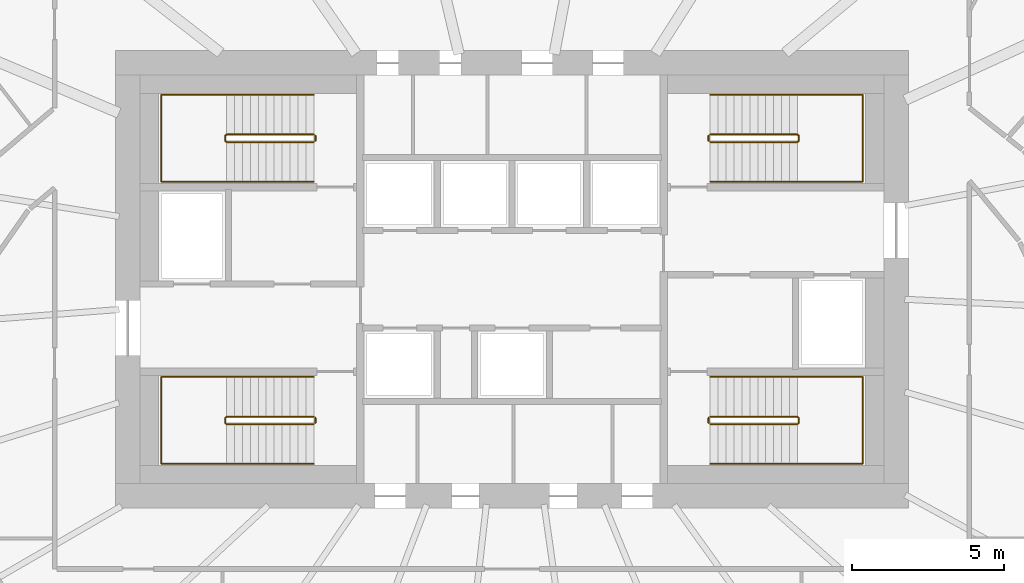
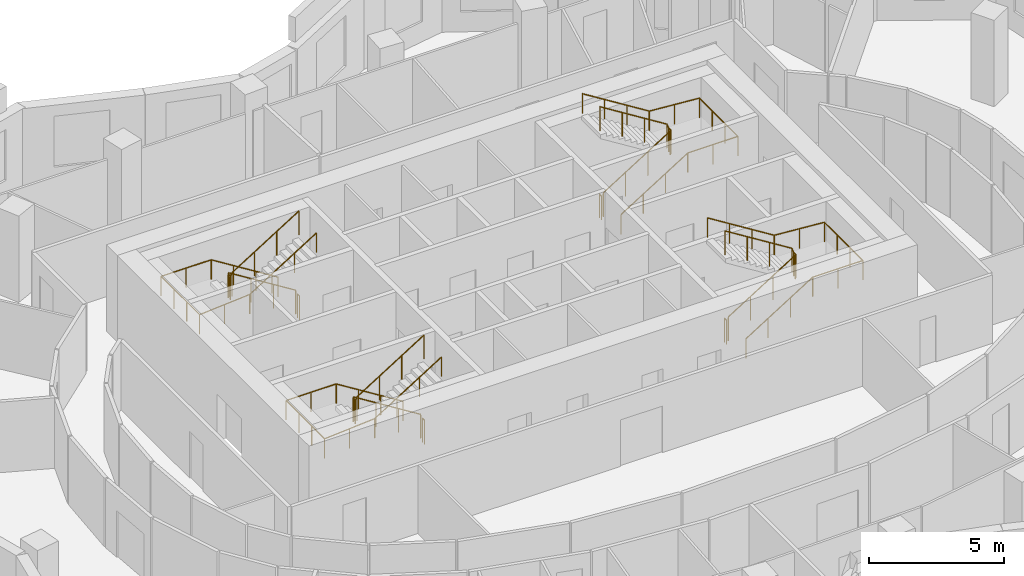
# One storey, part 11 of 11: 12 railings.
"""IFC4 building model written with IfcOpenShell, lengths in metres."""

from ifc_helpers import new_model, si_unit, direction, frame, origin, origin_2d, place, context, subcontext, project, spatial, circle, extrude, material, type_object, element, save


model = new_model("IFC4")

# Units and contexts
model_context = context("Model", 3, precision=1e-05, world=origin(), true_north=direction((0.0, 1.0)))
body_context = subcontext(model_context, "Body", "Model", "MODEL_VIEW")
ifc_project = project(units=[si_unit("LENGTHUNIT", "METRE"), si_unit("AREAUNIT", "SQUARE_METRE"), si_unit("VOLUMEUNIT", "CUBIC_METRE"), si_unit("PLANEANGLEUNIT", "RADIAN"), si_unit("MASSUNIT", "GRAM", prefix="KILO")], contexts=[model_context])

# Site, building, storey
site_placement = place(None, origin())
site = spatial("IfcSite", under=ifc_project, at=site_placement, CompositionType="ELEMENT")
building_placement = place(site_placement, origin())
building = spatial("IfcBuilding", under=site, at=building_placement, Name="Rubra Terraces Tower", CompositionType="ELEMENT")
storey_placement = place(building_placement, frame((0.0, 0.0, 237.0)))
storey = spatial("IfcBuildingStorey", under=building, at=storey_placement, Name="L58", CompositionType="ELEMENT", Elevation=237.0)

# Railings
ifc_material = material(Name="Stainless steel", Category="steel")
railing_type_1 = type_object("IfcRailingType", Name="Core stair guard 1100", PredefinedType="GUARDRAIL", material=ifc_material)
railing_1_placement = place(storey_placement, frame((-6.5, 0.0, 0.16259765625)))
element("IfcRailing", 1, at=railing_1_placement, inside=storey, type_object=railing_type_1, Name="L58 stair S1 guard 1", PredefinedType="GUARDRAIL", context=body_context, shape_type="SweptSolid", body=[
    extrude(circle(Radius=0.02392578125, at=origin_2d()), frame((0.0, 0.0, 1.076171875), z_axis=(-0.848026770018, 0.0, 0.529953391661), x_axis=(0.0, -1.0, 0.0)), (0.0, 0.0, 1.0), 3.37255859375),
    extrude(circle(Radius=0.02392578125, at=origin_2d()), frame((-2.860107421875, 0.0, 2.86328125), z_axis=(-0.705375805398, -0.708833529934, 0.0), x_axis=(0.708833529934, -0.705375805398, 0.0)), (0.0, 0.0, 1.0), 0.070556640625),
    extrude(circle(Radius=0.02392578125, at=origin_2d()), frame((-2.909912109375, -0.050048828125, 2.86328125), z_axis=(0.0, -1.0, 0.0), x_axis=(1.0, 0.0, 0.0)), (0.0, 0.0, 1.0), 0.14990234375),
    extrude(circle(Radius=0.02392578125, at=origin_2d()), frame((-2.909912109375, -0.199951171875, 2.86328125), z_axis=(0.280959487676, -0.282336740067, 0.917250092119), x_axis=(0.708833529934, 0.705375805398, 0.0)), (0.0, 0.0, 1.0), 0.17724609375),
    extrude(circle(Radius=0.02392578125, at=origin_2d()), frame((-2.860107421875, -0.25, 3.02587890625), z_axis=(0.848026770018, 0.0, 0.529953391661), x_axis=(0.0, 1.0, 0.0)), (0.0, 0.0, 1.0), 3.37255859375),
    extrude(circle(Radius=0.02099609375, at=origin_2d()), origin(), (0.0, 0.0, 1.0), 1.052001953125),
    extrude(circle(Radius=0.02099609375, at=origin_2d()), frame((-0.953369140625, 0.0, 0.595703125)), (0.0, 0.0, 1.0), 1.052001953125),
    extrude(circle(Radius=0.02099609375, at=origin_2d()), frame((-1.90673828125, 0.0, 1.191650390625)), (0.0, 0.0, 1.0), 1.052001953125),
    extrude(circle(Radius=0.02099609375, at=origin_2d()), frame((-2.860107421875, 0.0, 1.787353515625)), (0.0, 0.0, 1.0), 1.052001953125),
    extrude(circle(Radius=0.02099609375, at=origin_2d()), frame((-2.909912109375, -0.050048828125, 1.787353515625)), (0.0, 0.0, 1.0), 1.052001953125),
    extrude(circle(Radius=0.02099609375, at=origin_2d()), frame((-2.909912109375, -0.199951171875, 1.787353515625)), (0.0, 0.0, 1.0), 1.052001953125),
    extrude(circle(Radius=0.02099609375, at=origin_2d()), frame((-2.860107421875, -0.25, 1.949951171875)), (0.0, 0.0, 1.0), 1.052001953125),
    extrude(circle(Radius=0.02099609375, at=origin_2d()), frame((-1.90673828125, -0.25, 2.545654296875)), (0.0, 0.0, 1.0), 1.052001953125),
    extrude(circle(Radius=0.02099609375, at=origin_2d()), frame((-0.953369140625, -0.25, 3.1416015625)), (0.0, 0.0, 1.0), 1.052001953125),
    extrude(circle(Radius=0.02099609375, at=origin_2d()), frame((0.0, -0.25, 3.7373046875)), (0.0, 0.0, 1.0), 1.052001953125),
])
railing_2_placement = place(storey_placement, frame((-6.449951171875, -0.050048828125, 0.0)))
element("IfcRailing", 2, at=railing_2_placement, inside=storey, type_object=railing_type_1, Name="L58 stair S1 guard 2", PredefinedType="GUARDRAIL", context=body_context, shape_type="SweptSolid", body=[
    extrude(circle(Radius=0.02392578125, at=origin_2d()), frame((0.0, 0.0, 1.076171875), z_axis=(0.0, -1.0, 0.0), x_axis=(1.0, 0.0, 0.0)), (0.0, 0.0, 1.0), 0.14990234375),
    extrude(circle(Radius=0.02099609375, at=origin_2d()), origin(), (0.0, 0.0, 1.0), 1.052001953125),
    extrude(circle(Radius=0.02099609375, at=origin_2d()), frame((0.0, -0.14990234375, 0.0)), (0.0, 0.0, 1.0), 1.052001953125),
])
railing_3_placement = place(storey_placement, frame((-6.5, 9.25, 0.16259765625)))
element("IfcRailing", 3, at=railing_3_placement, inside=storey, type_object=railing_type_1, Name="L58 stair S2 guard 1", PredefinedType="GUARDRAIL", context=body_context, shape_type="SweptSolid", body=[
    extrude(circle(Radius=0.02392578125, at=origin_2d()), frame((0.0, 0.0, 1.076171875), z_axis=(-0.848026770018, 0.0, 0.529953391661), x_axis=(0.0, -1.0, 0.0)), (0.0, 0.0, 1.0), 3.37255859375),
    extrude(circle(Radius=0.02392578125, at=origin_2d()), frame((-2.860107421875, 0.0, 2.86328125), z_axis=(-0.705375805398, -0.708833529934, 0.0), x_axis=(0.708833529934, -0.705375805398, 0.0)), (0.0, 0.0, 1.0), 0.070556640625),
    extrude(circle(Radius=0.02392578125, at=origin_2d()), frame((-2.909912109375, -0.050048828125, 2.86328125), z_axis=(0.0, -1.0, 0.0), x_axis=(1.0, 0.0, 0.0)), (0.0, 0.0, 1.0), 0.14990234375),
    extrude(circle(Radius=0.02392578125, at=origin_2d()), frame((-2.909912109375, -0.199951171875, 2.86328125), z_axis=(0.280959487676, -0.282336740067, 0.917250092119), x_axis=(0.708833529934, 0.705375805398, 0.0)), (0.0, 0.0, 1.0), 0.17724609375),
    extrude(circle(Radius=0.02392578125, at=origin_2d()), frame((-2.860107421875, -0.25, 3.02587890625), z_axis=(0.848026770018, 0.0, 0.529953391661), x_axis=(0.0, 1.0, 0.0)), (0.0, 0.0, 1.0), 3.37255859375),
    extrude(circle(Radius=0.02099609375, at=origin_2d()), origin(), (0.0, 0.0, 1.0), 1.052001953125),
    extrude(circle(Radius=0.02099609375, at=origin_2d()), frame((-0.953369140625, 0.0, 0.595703125)), (0.0, 0.0, 1.0), 1.052001953125),
    extrude(circle(Radius=0.02099609375, at=origin_2d()), frame((-1.90673828125, 0.0, 1.191650390625)), (0.0, 0.0, 1.0), 1.052001953125),
    extrude(circle(Radius=0.02099609375, at=origin_2d()), frame((-2.860107421875, 0.0, 1.787353515625)), (0.0, 0.0, 1.0), 1.052001953125),
    extrude(circle(Radius=0.02099609375, at=origin_2d()), frame((-2.909912109375, -0.050048828125, 1.787353515625)), (0.0, 0.0, 1.0), 1.052001953125),
    extrude(circle(Radius=0.02099609375, at=origin_2d()), frame((-2.909912109375, -0.199951171875, 1.787353515625)), (0.0, 0.0, 1.0), 1.052001953125),
    extrude(circle(Radius=0.02099609375, at=origin_2d()), frame((-2.860107421875, -0.25, 1.949951171875)), (0.0, 0.0, 1.0), 1.052001953125),
    extrude(circle(Radius=0.02099609375, at=origin_2d()), frame((-1.90673828125, -0.25, 2.545654296875)), (0.0, 0.0, 1.0), 1.052001953125),
    extrude(circle(Radius=0.02099609375, at=origin_2d()), frame((-0.953369140625, -0.25, 3.1416015625)), (0.0, 0.0, 1.0), 1.052001953125),
    extrude(circle(Radius=0.02099609375, at=origin_2d()), frame((0.0, -0.25, 3.7373046875)), (0.0, 0.0, 1.0), 1.052001953125),
])
railing_4_placement = place(storey_placement, frame((-6.449951171875, 9.199951171875, 0.0)))
element("IfcRailing", 4, at=railing_4_placement, inside=storey, type_object=railing_type_1, Name="L58 stair S2 guard 2", PredefinedType="GUARDRAIL", context=body_context, shape_type="SweptSolid", body=[
    extrude(circle(Radius=0.02392578125, at=origin_2d()), frame((0.0, 0.0, 1.076171875), z_axis=(0.0, -1.0, 0.0), x_axis=(1.0, 0.0, 0.0)), (0.0, 0.0, 1.0), 0.14990234375),
    extrude(circle(Radius=0.02099609375, at=origin_2d()), origin(), (0.0, 0.0, 1.0), 1.052001953125),
    extrude(circle(Radius=0.02099609375, at=origin_2d()), frame((0.0, -0.14990234375, 0.0)), (0.0, 0.0, 1.0), 1.052001953125),
])
railing_5_placement = place(storey_placement, frame((6.5, 9.0, 0.16259765625)))
element("IfcRailing", 5, at=railing_5_placement, inside=storey, type_object=railing_type_1, Name="L58 stair S3 guard 1", PredefinedType="GUARDRAIL", context=body_context, shape_type="SweptSolid", body=[
    extrude(circle(Radius=0.02392578125, at=origin_2d()), frame((0.0, 0.0, 1.076171875), z_axis=(0.848026770018, 0.0, 0.529953391661), x_axis=(0.0, 1.0, 0.0)), (0.0, 0.0, 1.0), 3.37255859375),
    extrude(circle(Radius=0.02392578125, at=origin_2d()), frame((2.860107421875, 0.0, 2.86328125), z_axis=(0.705375805398, 0.708833529934, 0.0), x_axis=(-0.708833529934, 0.705375805398, 0.0)), (0.0, 0.0, 1.0), 0.070556640625),
    extrude(circle(Radius=0.02392578125, at=origin_2d()), frame((2.909912109375, 0.050048828125, 2.86328125), z_axis=(0.0, 1.0, 0.0), x_axis=(-1.0, 0.0, 0.0)), (0.0, 0.0, 1.0), 0.14990234375),
    extrude(circle(Radius=0.02392578125, at=origin_2d()), frame((2.909912109375, 0.199951171875, 2.86328125), z_axis=(-0.280959487676, 0.282336740067, 0.917250092119), x_axis=(-0.708833529934, -0.705375805398, 0.0)), (0.0, 0.0, 1.0), 0.17724609375),
    extrude(circle(Radius=0.02392578125, at=origin_2d()), frame((2.860107421875, 0.25, 3.02587890625), z_axis=(-0.848026770018, 0.0, 0.529953391661), x_axis=(0.0, -1.0, 0.0)), (0.0, 0.0, 1.0), 3.37255859375),
    extrude(circle(Radius=0.02099609375, at=origin_2d()), origin(), (0.0, 0.0, 1.0), 1.052001953125),
    extrude(circle(Radius=0.02099609375, at=origin_2d()), frame((0.953369140625, 0.0, 0.595703125)), (0.0, 0.0, 1.0), 1.052001953125),
    extrude(circle(Radius=0.02099609375, at=origin_2d()), frame((1.90673828125, 0.0, 1.191650390625)), (0.0, 0.0, 1.0), 1.052001953125),
    extrude(circle(Radius=0.02099609375, at=origin_2d()), frame((2.860107421875, 0.0, 1.787353515625)), (0.0, 0.0, 1.0), 1.052001953125),
    extrude(circle(Radius=0.02099609375, at=origin_2d()), frame((2.909912109375, 0.050048828125, 1.787353515625)), (0.0, 0.0, 1.0), 1.052001953125),
    extrude(circle(Radius=0.02099609375, at=origin_2d()), frame((2.909912109375, 0.199951171875, 1.787353515625)), (0.0, 0.0, 1.0), 1.052001953125),
    extrude(circle(Radius=0.02099609375, at=origin_2d()), frame((2.860107421875, 0.25, 1.949951171875)), (0.0, 0.0, 1.0), 1.052001953125),
    extrude(circle(Radius=0.02099609375, at=origin_2d()), frame((1.90673828125, 0.25, 2.545654296875)), (0.0, 0.0, 1.0), 1.052001953125),
    extrude(circle(Radius=0.02099609375, at=origin_2d()), frame((0.953369140625, 0.25, 3.1416015625)), (0.0, 0.0, 1.0), 1.052001953125),
    extrude(circle(Radius=0.02099609375, at=origin_2d()), frame((0.0, 0.25, 3.7373046875)), (0.0, 0.0, 1.0), 1.052001953125),
])
railing_6_placement = place(storey_placement, frame((6.449951171875, 9.050048828125, 0.0)))
element("IfcRailing", 6, at=railing_6_placement, inside=storey, type_object=railing_type_1, Name="L58 stair S3 guard 2", PredefinedType="GUARDRAIL", context=body_context, shape_type="SweptSolid", body=[
    extrude(circle(Radius=0.02392578125, at=origin_2d()), frame((0.0, 0.0, 1.076171875), z_axis=(0.0, 1.0, 0.0), x_axis=(-1.0, 0.0, 0.0)), (0.0, 0.0, 1.0), 0.14990234375),
    extrude(circle(Radius=0.02099609375, at=origin_2d()), origin(), (0.0, 0.0, 1.0), 1.052001953125),
    extrude(circle(Radius=0.02099609375, at=origin_2d()), frame((0.0, 0.14990234375, 0.0)), (0.0, 0.0, 1.0), 1.052001953125),
])
railing_7_placement = place(storey_placement, frame((6.5, -0.25, 0.16259765625)))
element("IfcRailing", 7, at=railing_7_placement, inside=storey, type_object=railing_type_1, Name="L58 stair S4 guard 1", PredefinedType="GUARDRAIL", context=body_context, shape_type="SweptSolid", body=[
    extrude(circle(Radius=0.02392578125, at=origin_2d()), frame((0.0, 0.0, 1.076171875), z_axis=(0.848026770018, 0.0, 0.529953391661), x_axis=(0.0, 1.0, 0.0)), (0.0, 0.0, 1.0), 3.37255859375),
    extrude(circle(Radius=0.02392578125, at=origin_2d()), frame((2.860107421875, 0.0, 2.86328125), z_axis=(0.705375805398, 0.708833529934, 0.0), x_axis=(-0.708833529934, 0.705375805398, 0.0)), (0.0, 0.0, 1.0), 0.070556640625),
    extrude(circle(Radius=0.02392578125, at=origin_2d()), frame((2.909912109375, 0.050048828125, 2.86328125), z_axis=(0.0, 1.0, 0.0), x_axis=(-1.0, 0.0, 0.0)), (0.0, 0.0, 1.0), 0.14990234375),
    extrude(circle(Radius=0.02392578125, at=origin_2d()), frame((2.909912109375, 0.199951171875, 2.86328125), z_axis=(-0.280959487676, 0.282336740067, 0.917250092119), x_axis=(-0.708833529934, -0.705375805398, 0.0)), (0.0, 0.0, 1.0), 0.17724609375),
    extrude(circle(Radius=0.02392578125, at=origin_2d()), frame((2.860107421875, 0.25, 3.02587890625), z_axis=(-0.848026770018, 0.0, 0.529953391661), x_axis=(0.0, -1.0, 0.0)), (0.0, 0.0, 1.0), 3.37255859375),
    extrude(circle(Radius=0.02099609375, at=origin_2d()), origin(), (0.0, 0.0, 1.0), 1.052001953125),
    extrude(circle(Radius=0.02099609375, at=origin_2d()), frame((0.953369140625, 0.0, 0.595703125)), (0.0, 0.0, 1.0), 1.052001953125),
    extrude(circle(Radius=0.02099609375, at=origin_2d()), frame((1.90673828125, 0.0, 1.191650390625)), (0.0, 0.0, 1.0), 1.052001953125),
    extrude(circle(Radius=0.02099609375, at=origin_2d()), frame((2.860107421875, 0.0, 1.787353515625)), (0.0, 0.0, 1.0), 1.052001953125),
    extrude(circle(Radius=0.02099609375, at=origin_2d()), frame((2.909912109375, 0.050048828125, 1.787353515625)), (0.0, 0.0, 1.0), 1.052001953125),
    extrude(circle(Radius=0.02099609375, at=origin_2d()), frame((2.909912109375, 0.199951171875, 1.787353515625)), (0.0, 0.0, 1.0), 1.052001953125),
    extrude(circle(Radius=0.02099609375, at=origin_2d()), frame((2.860107421875, 0.25, 1.949951171875)), (0.0, 0.0, 1.0), 1.052001953125),
    extrude(circle(Radius=0.02099609375, at=origin_2d()), frame((1.90673828125, 0.25, 2.545654296875)), (0.0, 0.0, 1.0), 1.052001953125),
    extrude(circle(Radius=0.02099609375, at=origin_2d()), frame((0.953369140625, 0.25, 3.1416015625)), (0.0, 0.0, 1.0), 1.052001953125),
    extrude(circle(Radius=0.02099609375, at=origin_2d()), frame((0.0, 0.25, 3.7373046875)), (0.0, 0.0, 1.0), 1.052001953125),
])
railing_8_placement = place(storey_placement, frame((6.449951171875, -0.199951171875, 0.0)))
element("IfcRailing", 8, at=railing_8_placement, inside=storey, type_object=railing_type_1, Name="L58 stair S4 guard 2", PredefinedType="GUARDRAIL", context=body_context, shape_type="SweptSolid", body=[
    extrude(circle(Radius=0.02392578125, at=origin_2d()), frame((0.0, 0.0, 1.076171875), z_axis=(0.0, 1.0, 0.0), x_axis=(-1.0, 0.0, 0.0)), (0.0, 0.0, 1.0), 0.14990234375),
    extrude(circle(Radius=0.02099609375, at=origin_2d()), origin(), (0.0, 0.0, 1.0), 1.052001953125),
    extrude(circle(Radius=0.02099609375, at=origin_2d()), frame((0.0, 0.14990234375, 0.0)), (0.0, 0.0, 1.0), 1.052001953125),
])
railing_type_2 = type_object("IfcRailingType", Name="Core stair handrail 900", PredefinedType="HANDRAIL", material=ifc_material)
railing_9_placement = place(storey_placement, frame((-6.5, 1.300048828125, 0.16259765625)))
element("IfcRailing", 9, at=railing_9_placement, inside=storey, type_object=railing_type_2, Name="L58 stair S1 handrail 1", PredefinedType="HANDRAIL", context=body_context, shape_type="SweptSolid", body=[
    extrude(circle(Radius=0.02392578125, at=origin_2d()), frame((0.0, 0.0, 0.8759765625), z_axis=(-0.848026770018, 0.0, 0.529953391661), x_axis=(0.0, -1.0, 0.0)), (0.0, 0.0, 1.0), 3.37255859375),
    extrude(circle(Radius=0.02392578125, at=origin_2d()), frame((-2.860107421875, 0.0, 2.6630859375), z_axis=(-1.0, 0.0, 0.0), x_axis=(0.0, -1.0, 0.0)), (0.0, 0.0, 1.0), 2.139892578125),
    extrude(circle(Radius=0.02392578125, at=origin_2d()), frame((-5.0, 0.0, 2.6630859375), z_axis=(0.0, -1.0, 0.0), x_axis=(1.0, 0.0, 0.0)), (0.0, 0.0, 1.0), 2.85009765625),
    extrude(circle(Radius=0.02392578125, at=origin_2d()), frame((-5.0, -2.85009765625, 2.6630859375), z_axis=(0.997125654253, 0.0, 0.075765623016), x_axis=(0.0, 1.0, 0.0)), (0.0, 0.0, 1.0), 2.14599609375),
    extrude(circle(Radius=0.02392578125, at=origin_2d()), frame((-2.860107421875, -2.85009765625, 2.82568359375), z_axis=(0.848026770018, 0.0, 0.529953391661), x_axis=(0.0, 1.0, 0.0)), (0.0, 0.0, 1.0), 3.37255859375),
    extrude(circle(Radius=0.02099609375, at=origin_2d()), origin(), (0.0, 0.0, 1.0), 0.851806640625),
    extrude(circle(Radius=0.02099609375, at=origin_2d()), frame((-0.953369140625, 0.0, 0.595703125)), (0.0, 0.0, 1.0), 0.851806640625),
    extrude(circle(Radius=0.02099609375, at=origin_2d()), frame((-1.90673828125, 0.0, 1.191650390625)), (0.0, 0.0, 1.0), 0.851806640625),
    extrude(circle(Radius=0.02099609375, at=origin_2d()), frame((-2.860107421875, 0.0, 1.787353515625)), (0.0, 0.0, 1.0), 0.851806640625),
    extrude(circle(Radius=0.02099609375, at=origin_2d()), frame((-3.93017578125, 0.0, 1.787353515625)), (0.0, 0.0, 1.0), 0.851806640625),
    extrude(circle(Radius=0.02099609375, at=origin_2d()), frame((-5.0, 0.0, 1.787353515625)), (0.0, 0.0, 1.0), 0.851806640625),
    extrude(circle(Radius=0.02099609375, at=origin_2d()), frame((-5.0, -0.949951171875, 1.787353515625)), (0.0, 0.0, 1.0), 0.851806640625),
    extrude(circle(Radius=0.02099609375, at=origin_2d()), frame((-5.0, -1.900146484375, 1.787353515625)), (0.0, 0.0, 1.0), 0.851806640625),
    extrude(circle(Radius=0.02099609375, at=origin_2d()), frame((-5.0, -2.85009765625, 1.787353515625)), (0.0, 0.0, 1.0), 0.851806640625),
    extrude(circle(Radius=0.02099609375, at=origin_2d()), frame((-3.93017578125, -2.85009765625, 1.86865234375)), (0.0, 0.0, 1.0), 0.851806640625),
    extrude(circle(Radius=0.02099609375, at=origin_2d()), frame((-2.860107421875, -2.85009765625, 1.949951171875)), (0.0, 0.0, 1.0), 0.851806640625),
    extrude(circle(Radius=0.02099609375, at=origin_2d()), frame((-1.90673828125, -2.85009765625, 2.545654296875)), (0.0, 0.0, 1.0), 0.851806640625),
    extrude(circle(Radius=0.02099609375, at=origin_2d()), frame((-0.953369140625, -2.85009765625, 3.1416015625)), (0.0, 0.0, 1.0), 0.851806640625),
    extrude(circle(Radius=0.02099609375, at=origin_2d()), frame((0.0, -2.85009765625, 3.7373046875)), (0.0, 0.0, 1.0), 0.851806640625),
])
railing_10_placement = place(storey_placement, frame((-6.5, 10.550048828125, 0.16259765625)))
element("IfcRailing", 10, at=railing_10_placement, inside=storey, type_object=railing_type_2, Name="L58 stair S2 handrail 1", PredefinedType="HANDRAIL", context=body_context, shape_type="SweptSolid", body=[
    extrude(circle(Radius=0.02392578125, at=origin_2d()), frame((0.0, 0.0, 0.8759765625), z_axis=(-0.848026770018, 0.0, 0.529953391661), x_axis=(0.0, -1.0, 0.0)), (0.0, 0.0, 1.0), 3.37255859375),
    extrude(circle(Radius=0.02392578125, at=origin_2d()), frame((-2.860107421875, 0.0, 2.6630859375), z_axis=(-1.0, 0.0, 0.0), x_axis=(0.0, -1.0, 0.0)), (0.0, 0.0, 1.0), 2.139892578125),
    extrude(circle(Radius=0.02392578125, at=origin_2d()), frame((-5.0, 0.0, 2.6630859375), z_axis=(0.0, -1.0, 0.0), x_axis=(1.0, 0.0, 0.0)), (0.0, 0.0, 1.0), 2.85009765625),
    extrude(circle(Radius=0.02392578125, at=origin_2d()), frame((-5.0, -2.85009765625, 2.6630859375), z_axis=(0.997125654253, 0.0, 0.075765623016), x_axis=(0.0, 1.0, 0.0)), (0.0, 0.0, 1.0), 2.14599609375),
    extrude(circle(Radius=0.02392578125, at=origin_2d()), frame((-2.860107421875, -2.85009765625, 2.82568359375), z_axis=(0.848026770018, 0.0, 0.529953391661), x_axis=(0.0, 1.0, 0.0)), (0.0, 0.0, 1.0), 3.37255859375),
    extrude(circle(Radius=0.02099609375, at=origin_2d()), origin(), (0.0, 0.0, 1.0), 0.851806640625),
    extrude(circle(Radius=0.02099609375, at=origin_2d()), frame((-0.953369140625, 0.0, 0.595703125)), (0.0, 0.0, 1.0), 0.851806640625),
    extrude(circle(Radius=0.02099609375, at=origin_2d()), frame((-1.90673828125, 0.0, 1.191650390625)), (0.0, 0.0, 1.0), 0.851806640625),
    extrude(circle(Radius=0.02099609375, at=origin_2d()), frame((-2.860107421875, 0.0, 1.787353515625)), (0.0, 0.0, 1.0), 0.851806640625),
    extrude(circle(Radius=0.02099609375, at=origin_2d()), frame((-3.93017578125, 0.0, 1.787353515625)), (0.0, 0.0, 1.0), 0.851806640625),
    extrude(circle(Radius=0.02099609375, at=origin_2d()), frame((-5.0, 0.0, 1.787353515625)), (0.0, 0.0, 1.0), 0.851806640625),
    extrude(circle(Radius=0.02099609375, at=origin_2d()), frame((-5.0, -0.949951171875, 1.787353515625)), (0.0, 0.0, 1.0), 0.851806640625),
    extrude(circle(Radius=0.02099609375, at=origin_2d()), frame((-5.0, -1.900146484375, 1.787353515625)), (0.0, 0.0, 1.0), 0.851806640625),
    extrude(circle(Radius=0.02099609375, at=origin_2d()), frame((-5.0, -2.85009765625, 1.787353515625)), (0.0, 0.0, 1.0), 0.851806640625),
    extrude(circle(Radius=0.02099609375, at=origin_2d()), frame((-3.93017578125, -2.85009765625, 1.86865234375)), (0.0, 0.0, 1.0), 0.851806640625),
    extrude(circle(Radius=0.02099609375, at=origin_2d()), frame((-2.860107421875, -2.85009765625, 1.949951171875)), (0.0, 0.0, 1.0), 0.851806640625),
    extrude(circle(Radius=0.02099609375, at=origin_2d()), frame((-1.90673828125, -2.85009765625, 2.545654296875)), (0.0, 0.0, 1.0), 0.851806640625),
    extrude(circle(Radius=0.02099609375, at=origin_2d()), frame((-0.953369140625, -2.85009765625, 3.1416015625)), (0.0, 0.0, 1.0), 0.851806640625),
    extrude(circle(Radius=0.02099609375, at=origin_2d()), frame((0.0, -2.85009765625, 3.7373046875)), (0.0, 0.0, 1.0), 0.851806640625),
])
railing_11_placement = place(storey_placement, frame((6.5, 7.699951171875, 0.16259765625)))
element("IfcRailing", 11, at=railing_11_placement, inside=storey, type_object=railing_type_2, Name="L58 stair S3 handrail 1", PredefinedType="HANDRAIL", context=body_context, shape_type="SweptSolid", body=[
    extrude(circle(Radius=0.02392578125, at=origin_2d()), frame((0.0, 0.0, 0.8759765625), z_axis=(0.848026770018, 0.0, 0.529953391661), x_axis=(0.0, 1.0, 0.0)), (0.0, 0.0, 1.0), 3.37255859375),
    extrude(circle(Radius=0.02392578125, at=origin_2d()), frame((2.860107421875, 0.0, 2.6630859375), z_axis=(1.0, 0.0, 0.0), x_axis=(0.0, 1.0, 0.0)), (0.0, 0.0, 1.0), 2.139892578125),
    extrude(circle(Radius=0.02392578125, at=origin_2d()), frame((5.0, 0.0, 2.6630859375), z_axis=(0.0, 1.0, 0.0), x_axis=(-1.0, 0.0, 0.0)), (0.0, 0.0, 1.0), 2.85009765625),
    extrude(circle(Radius=0.02392578125, at=origin_2d()), frame((5.0, 2.85009765625, 2.6630859375), z_axis=(-0.997125654253, 0.0, 0.075765623016), x_axis=(0.0, -1.0, 0.0)), (0.0, 0.0, 1.0), 2.14599609375),
    extrude(circle(Radius=0.02392578125, at=origin_2d()), frame((2.860107421875, 2.85009765625, 2.82568359375), z_axis=(-0.848026770018, 0.0, 0.529953391661), x_axis=(0.0, -1.0, 0.0)), (0.0, 0.0, 1.0), 3.37255859375),
    extrude(circle(Radius=0.02099609375, at=origin_2d()), origin(), (0.0, 0.0, 1.0), 0.851806640625),
    extrude(circle(Radius=0.02099609375, at=origin_2d()), frame((0.953369140625, 0.0, 0.595703125)), (0.0, 0.0, 1.0), 0.851806640625),
    extrude(circle(Radius=0.02099609375, at=origin_2d()), frame((1.90673828125, 0.0, 1.191650390625)), (0.0, 0.0, 1.0), 0.851806640625),
    extrude(circle(Radius=0.02099609375, at=origin_2d()), frame((2.860107421875, 0.0, 1.787353515625)), (0.0, 0.0, 1.0), 0.851806640625),
    extrude(circle(Radius=0.02099609375, at=origin_2d()), frame((3.93017578125, 0.0, 1.787353515625)), (0.0, 0.0, 1.0), 0.851806640625),
    extrude(circle(Radius=0.02099609375, at=origin_2d()), frame((5.0, 0.0, 1.787353515625)), (0.0, 0.0, 1.0), 0.851806640625),
    extrude(circle(Radius=0.02099609375, at=origin_2d()), frame((5.0, 0.949951171875, 1.787353515625)), (0.0, 0.0, 1.0), 0.851806640625),
    extrude(circle(Radius=0.02099609375, at=origin_2d()), frame((5.0, 1.900146484375, 1.787353515625)), (0.0, 0.0, 1.0), 0.851806640625),
    extrude(circle(Radius=0.02099609375, at=origin_2d()), frame((5.0, 2.85009765625, 1.787353515625)), (0.0, 0.0, 1.0), 0.851806640625),
    extrude(circle(Radius=0.02099609375, at=origin_2d()), frame((3.93017578125, 2.85009765625, 1.86865234375)), (0.0, 0.0, 1.0), 0.851806640625),
    extrude(circle(Radius=0.02099609375, at=origin_2d()), frame((2.860107421875, 2.85009765625, 1.949951171875)), (0.0, 0.0, 1.0), 0.851806640625),
    extrude(circle(Radius=0.02099609375, at=origin_2d()), frame((1.90673828125, 2.85009765625, 2.545654296875)), (0.0, 0.0, 1.0), 0.851806640625),
    extrude(circle(Radius=0.02099609375, at=origin_2d()), frame((0.953369140625, 2.85009765625, 3.1416015625)), (0.0, 0.0, 1.0), 0.851806640625),
    extrude(circle(Radius=0.02099609375, at=origin_2d()), frame((0.0, 2.85009765625, 3.7373046875)), (0.0, 0.0, 1.0), 0.851806640625),
])
railing_12_placement = place(storey_placement, frame((6.5, -1.550048828125, 0.16259765625)))
element("IfcRailing", 12, at=railing_12_placement, inside=storey, type_object=railing_type_2, Name="L58 stair S4 handrail 1", PredefinedType="HANDRAIL", context=body_context, shape_type="SweptSolid", body=[
    extrude(circle(Radius=0.02392578125, at=origin_2d()), frame((0.0, 0.0, 0.8759765625), z_axis=(0.848026770018, 0.0, 0.529953391661), x_axis=(0.0, 1.0, 0.0)), (0.0, 0.0, 1.0), 3.37255859375),
    extrude(circle(Radius=0.02392578125, at=origin_2d()), frame((2.860107421875, 0.0, 2.6630859375), z_axis=(1.0, 0.0, 0.0), x_axis=(0.0, 1.0, 0.0)), (0.0, 0.0, 1.0), 2.139892578125),
    extrude(circle(Radius=0.02392578125, at=origin_2d()), frame((5.0, 0.0, 2.6630859375), z_axis=(0.0, 1.0, 0.0), x_axis=(-1.0, 0.0, 0.0)), (0.0, 0.0, 1.0), 2.85009765625),
    extrude(circle(Radius=0.02392578125, at=origin_2d()), frame((5.0, 2.85009765625, 2.6630859375), z_axis=(-0.997125654253, 0.0, 0.075765623016), x_axis=(0.0, -1.0, 0.0)), (0.0, 0.0, 1.0), 2.14599609375),
    extrude(circle(Radius=0.02392578125, at=origin_2d()), frame((2.860107421875, 2.85009765625, 2.82568359375), z_axis=(-0.848026770018, 0.0, 0.529953391661), x_axis=(0.0, -1.0, 0.0)), (0.0, 0.0, 1.0), 3.37255859375),
    extrude(circle(Radius=0.02099609375, at=origin_2d()), origin(), (0.0, 0.0, 1.0), 0.851806640625),
    extrude(circle(Radius=0.02099609375, at=origin_2d()), frame((0.953369140625, 0.0, 0.595703125)), (0.0, 0.0, 1.0), 0.851806640625),
    extrude(circle(Radius=0.02099609375, at=origin_2d()), frame((1.90673828125, 0.0, 1.191650390625)), (0.0, 0.0, 1.0), 0.851806640625),
    extrude(circle(Radius=0.02099609375, at=origin_2d()), frame((2.860107421875, 0.0, 1.787353515625)), (0.0, 0.0, 1.0), 0.851806640625),
    extrude(circle(Radius=0.02099609375, at=origin_2d()), frame((3.93017578125, 0.0, 1.787353515625)), (0.0, 0.0, 1.0), 0.851806640625),
    extrude(circle(Radius=0.02099609375, at=origin_2d()), frame((5.0, 0.0, 1.787353515625)), (0.0, 0.0, 1.0), 0.851806640625),
    extrude(circle(Radius=0.02099609375, at=origin_2d()), frame((5.0, 0.949951171875, 1.787353515625)), (0.0, 0.0, 1.0), 0.851806640625),
    extrude(circle(Radius=0.02099609375, at=origin_2d()), frame((5.0, 1.900146484375, 1.787353515625)), (0.0, 0.0, 1.0), 0.851806640625),
    extrude(circle(Radius=0.02099609375, at=origin_2d()), frame((5.0, 2.85009765625, 1.787353515625)), (0.0, 0.0, 1.0), 0.851806640625),
    extrude(circle(Radius=0.02099609375, at=origin_2d()), frame((3.93017578125, 2.85009765625, 1.86865234375)), (0.0, 0.0, 1.0), 0.851806640625),
    extrude(circle(Radius=0.02099609375, at=origin_2d()), frame((2.860107421875, 2.85009765625, 1.949951171875)), (0.0, 0.0, 1.0), 0.851806640625),
    extrude(circle(Radius=0.02099609375, at=origin_2d()), frame((1.90673828125, 2.85009765625, 2.545654296875)), (0.0, 0.0, 1.0), 0.851806640625),
    extrude(circle(Radius=0.02099609375, at=origin_2d()), frame((0.953369140625, 2.85009765625, 3.1416015625)), (0.0, 0.0, 1.0), 0.851806640625),
    extrude(circle(Radius=0.02099609375, at=origin_2d()), frame((0.0, 2.85009765625, 3.7373046875)), (0.0, 0.0, 1.0), 0.851806640625),
])

save(model, "model.ifc")
